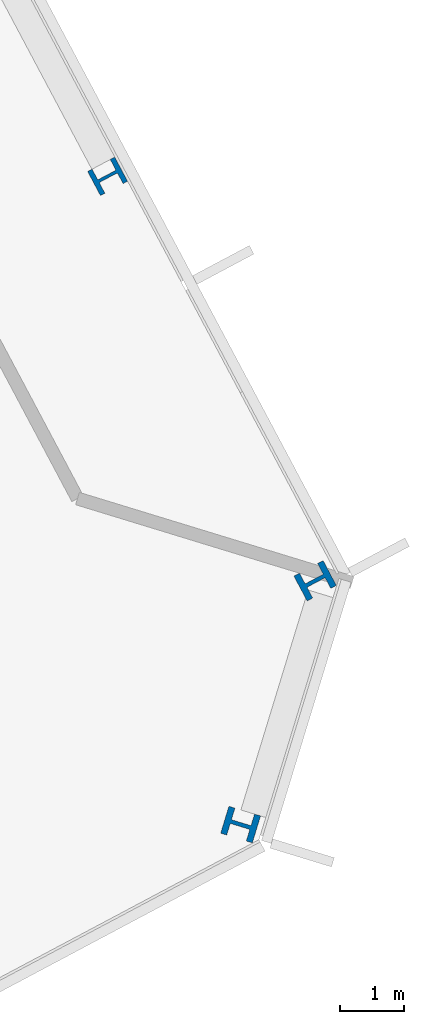
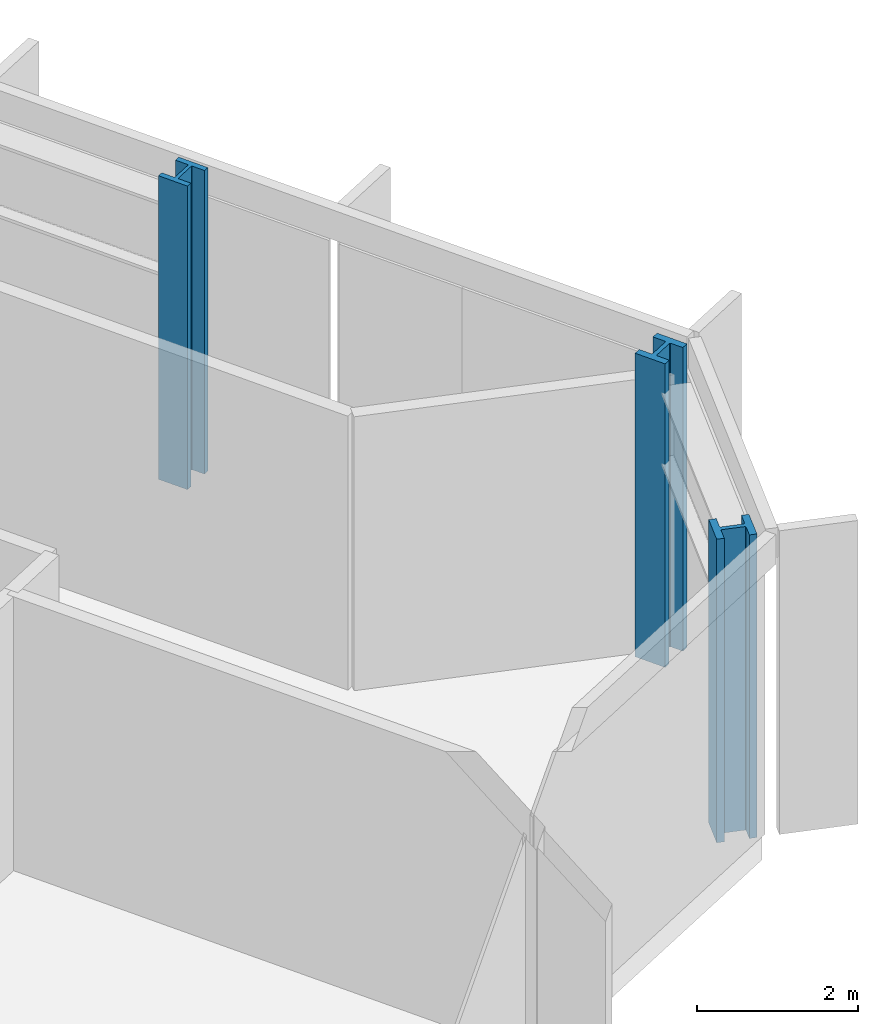
# One storey, part 6 of 31: 3 columns.
"""IFC4 building model written with IfcOpenShell, lengths in metres."""

from ifc_helpers import new_model, si_unit, direction, frame, origin, origin_2d, place, context, subcontext, project, spatial, i_section, extrude, material, material_profile, profile_set, type_object, element, save


model = new_model("IFC4")

# Units and contexts
model_context = context("Model", 3, precision=1e-05, world=origin(), true_north=direction((0.0, 1.0)))
body_context = subcontext(model_context, "Body", "Model", "MODEL_VIEW")
ifc_project = project(units=[si_unit("LENGTHUNIT", "METRE"), si_unit("AREAUNIT", "SQUARE_METRE"), si_unit("VOLUMEUNIT", "CUBIC_METRE"), si_unit("PLANEANGLEUNIT", "RADIAN"), si_unit("MASSUNIT", "GRAM", prefix="KILO")], contexts=[model_context])

# Site, building, storey
site_placement = place(None, origin())
site = spatial("IfcSite", under=ifc_project, at=site_placement, CompositionType="ELEMENT")
building_placement = place(site_placement, origin())
building = spatial("IfcBuilding", under=site, at=building_placement, Name="Cormorant Relay Tower", CompositionType="ELEMENT")
storey_placement = place(building_placement, frame((0.0, 0.0, 107.60009765625)))
storey = spatial("IfcBuildingStorey", under=building, at=storey_placement, Name="L21", CompositionType="ELEMENT", Elevation=107.60009765625)

# Columns
ifc_material_1 = material(Name="Steel ASTM A992 (Fy 345 MPa)", Category="steel")
ifc_material_profile_1 = material_profile(ifc_material_1, i_section(OverallWidth=0.42431640625, OverallDepth=0.47509765625, WebThickness=0.0478515625, FlangeThickness=0.0771484375, FilletRadius=0.014892578125, at=origin_2d()), Name="W360x634")
ifc_profile_set_1 = profile_set([ifc_material_profile_1], Name="Steel ASTM A992 (Fy 345 MPa)")
column_type_1 = type_object("IfcColumnType", Name="Column W360x634", PredefinedType="COLUMN", material=ifc_profile_set_1)
column_placement = place(storey_placement, frame((68.430908203125, 24.153076171875, 0.0), z_axis=(0.0, 0.0, 1.0), x_axis=(-0.469471562786, 0.882947592859, 0.0)))
element("IfcColumn", 1, at=column_placement, inside=storey, type_object=column_type_1, Name="Column L21-033", PredefinedType="COLUMN", context=body_context, shape_type="SweptSolid", body=[
    extrude(i_section(OverallWidth=0.42431640625, OverallDepth=0.47509765625, WebThickness=0.0478515625, FlangeThickness=0.0771484375, FilletRadius=0.014892578125, at=origin_2d()), origin(), (0.0, 0.0, 1.0), 4.599853515625),
])
ifc_material_2 = material(Name="Steel ASTM A992 (Fy 345 MPa)", Category="steel")
ifc_material_profile_2 = material_profile(ifc_material_2, i_section(OverallWidth=0.43701171875, OverallDepth=0.51318359375, WebThickness=0.060546875, FlangeThickness=0.096923828125, FilletRadius=0.015380859375, at=origin_2d()), Name="W360x818")
ifc_profile_set_2 = profile_set([ifc_material_profile_2], Name="Steel ASTM A992 (Fy 345 MPa)")
column_type_2 = type_object("IfcColumnType", Name="Column W360x818", PredefinedType="COLUMN", material=ifc_profile_set_2)
for number, where, z_axis, x_axis, name in (
    (2, (70.4970703125, 14.0869140625, 0.0), (0.0, 0.0, 1.0), (0.292371704723, 0.956304755963, 0.0), "Column L21-026"),
    (3, (71.654052734375, 17.873046875, 0.0), (0.0, 0.0, 1.0), (-0.469471562786, 0.882947592859, 0.0), "Column L21-028"),
):
    element("IfcColumn", number, at=place(storey_placement, frame(where, z_axis=z_axis, x_axis=x_axis)), inside=storey, type_object=column_type_2, Name=name, PredefinedType="COLUMN", context=body_context, shape_type="SweptSolid", body=[
        extrude(i_section(OverallWidth=0.43701171875, OverallDepth=0.51318359375, WebThickness=0.060546875, FlangeThickness=0.096923828125, FilletRadius=0.015380859375, at=origin_2d()), origin(), (0.0, 0.0, 1.0), 4.599853515625),
    ])

save(model, "model.ifc")
